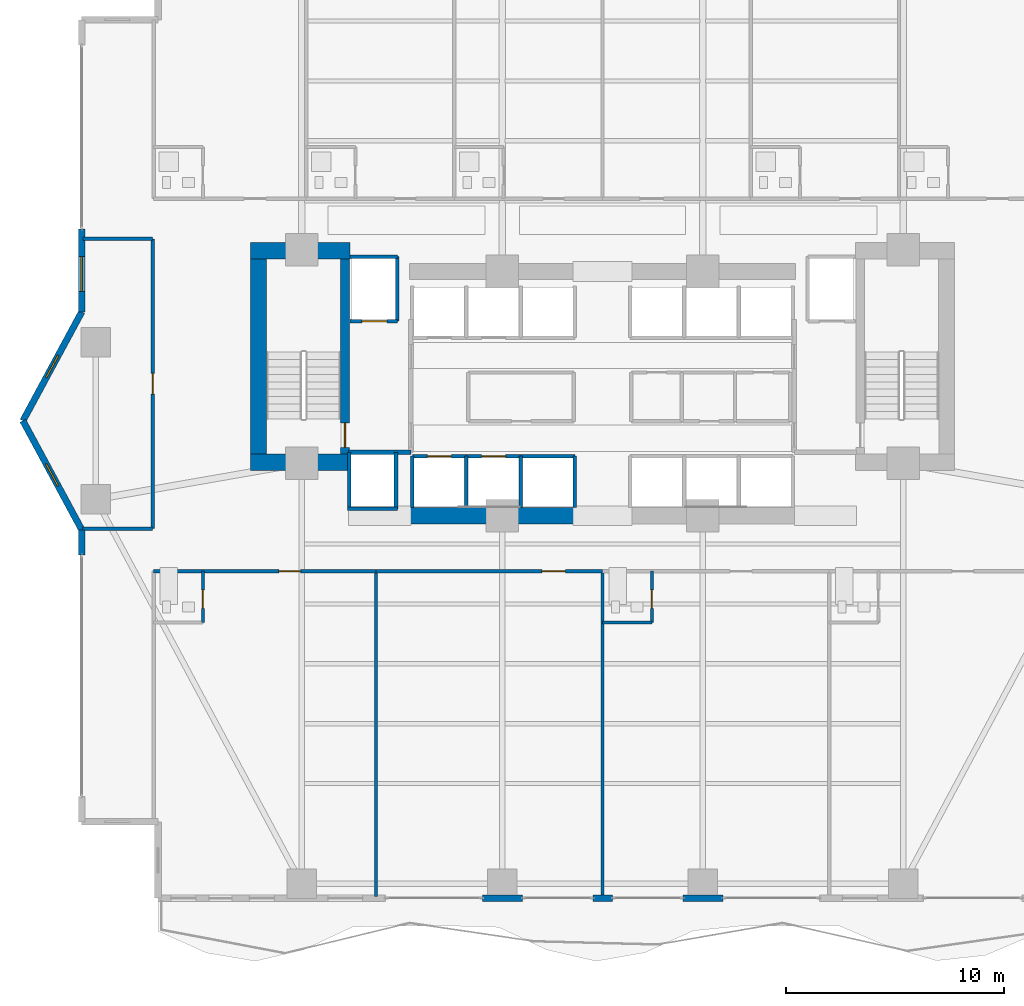
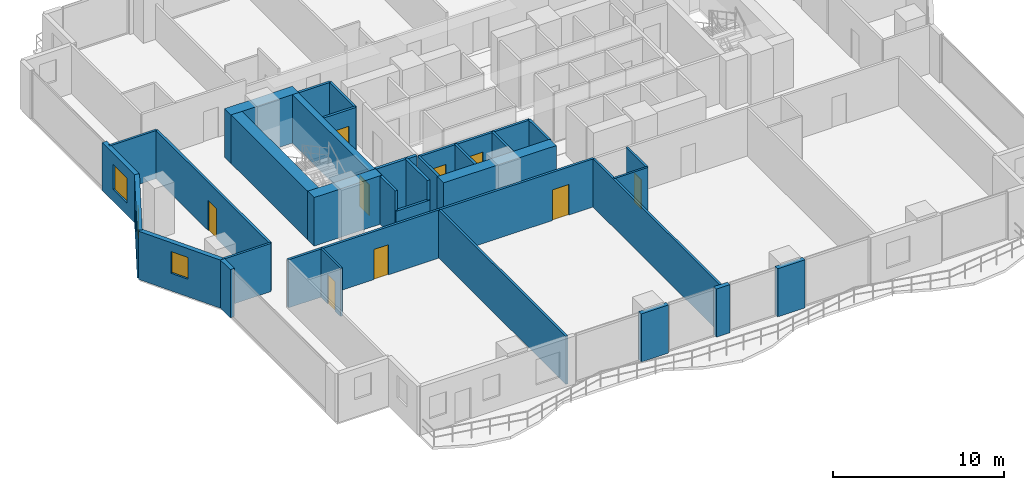
# One storey, part 21 of 30: 36 walls, 9 doors, 3 windows, 12 openings.
"""IFC4 building model written with IfcOpenShell, lengths in metres."""

from ifc_helpers import new_model, si_unit, direction, frame, frame_2d, origin, place, context, subcontext, project, spatial, rectangle, extrude, material, layer, layer_set, type_object, element, fill, save


model = new_model("IFC4")

# Units and contexts
model_context = context("Model", 3, precision=1e-05, world=origin(), true_north=direction((0.0, 1.0)))
body_context = subcontext(model_context, "Body", "Model", "MODEL_VIEW")
ifc_project = project(units=[si_unit("LENGTHUNIT", "METRE"), si_unit("AREAUNIT", "SQUARE_METRE"), si_unit("VOLUMEUNIT", "CUBIC_METRE"), si_unit("PLANEANGLEUNIT", "RADIAN"), si_unit("MASSUNIT", "GRAM", prefix="KILO")], contexts=[model_context])

# Site, building, storey
site_placement = place(None, origin())
site = spatial("IfcSite", under=ifc_project, at=site_placement, CompositionType="ELEMENT")
building_placement = place(site_placement, origin())
building = spatial("IfcBuilding", under=site, at=building_placement, Name="Zuhayl Quay Hotel", CompositionType="ELEMENT")
storey_placement = place(building_placement, frame((0.0, 0.0, 128.5)))
storey = spatial("IfcBuildingStorey", under=building, at=storey_placement, Name="L32", CompositionType="ELEMENT", Elevation=128.5)

# Walls
ifc_material_1 = material(Name="Concrete C60/75", Category="concrete")
ifc_layer_1 = layer(ifc_material_1, 0.75, Name="Concrete C60/75", Category="concrete")
ifc_layer_set_1 = layer_set([ifc_layer_1], Name="Concrete C60/75")
wall_type_1 = type_object("IfcWallType", Name="WL_CORE_750", PredefinedType="SHEAR", material=ifc_layer_set_1)
wall_1_placement = place(storey_placement, frame((-16.159912109375, 14.304931640625, 0.0), z_axis=(0.0, 0.0, 1.0), x_axis=(1.0, 0.0, 0.0)))
element("IfcWall", 1, at=wall_1_placement, inside=storey, type_object=wall_type_1, Name="L32 Core Shear Wall CW_NW", PredefinedType="SHEAR", context=body_context, shape_type="SweptSolid", body=[
    extrude(rectangle(XDim=4.559814453125, YDim=0.75, at=frame_2d((2.27978515625, 0.0))), origin(), (0.0, 0.0, 1.0), 3.4599609375),
])
wall_2_placement = place(storey_placement, frame((-15.784912109375, 4.969970703125, 0.0), z_axis=(0.0, 0.0, 1.0), x_axis=(0.0, 1.0, 0.0)))
element("IfcWall", 2, at=wall_2_placement, inside=storey, type_object=wall_type_1, Name="L32 Core Shear Wall CW_W", PredefinedType="SHEAR", context=body_context, shape_type="SweptSolid", body=[
    extrude(rectangle(XDim=8.9599609375, YDim=0.75, at=frame_2d((4.47998046875, 0.0))), origin(), (0.0, 0.0, 1.0), 3.4599609375),
])
wall_3_placement = place(storey_placement, frame((-16.159912109375, 4.594970703125, 0.0), z_axis=(0.0, 0.0, 1.0), x_axis=(1.0, 0.0, 0.0)))
element("IfcWall", 3, at=wall_3_placement, inside=storey, type_object=wall_type_1, Name="L32 Core Shear Wall CW_SW", PredefinedType="SHEAR", context=body_context, shape_type="SweptSolid", body=[
    extrude(rectangle(XDim=4.559814453125, YDim=0.75, at=frame_2d((2.27978515625, 0.0))), origin(), (0.0, 0.0, 1.0), 3.4599609375),
])
wall_4_placement = place(storey_placement, frame((-8.85009765625, 2.14990234375, 0.0), z_axis=(0.0, 0.0, 1.0), x_axis=(1.0, 0.0, 0.0)))
element("IfcWall", 4, at=wall_4_placement, inside=storey, type_object=wall_type_1, Name="L32 Core Shear Wall CW_SC_W", PredefinedType="SHEAR", context=body_context, shape_type="SweptSolid", body=[
    extrude(rectangle(XDim=7.60009765625, YDim=0.75, at=frame_2d((3.800048828125, 0.0))), origin(), (0.0, 0.0, 1.0), 3.429931640625),
])
ifc_material_2 = material(Name="Precast concrete C45/55", Category="concrete")
ifc_layer_2 = layer(ifc_material_2, 0.300048828125, Name="Precast concrete C45/55", Category="concrete")
ifc_layer_set_2 = layer_set([ifc_layer_2], Name="Precast concrete C45/55")
wall_type_2 = type_object("IfcWallType", Name="WL_EXT_300", PredefinedType="STANDARD", material=ifc_layer_set_2)
wall_5_placement = place(storey_placement, frame((-23.89990234375, 0.35009765625, 0.0), z_axis=(0.0, 0.0, 1.0), x_axis=(0.0, 1.0, 0.0)))
element("IfcWall", 5, at=wall_5_placement, inside=storey, type_object=wall_type_2, Name="L32 Exterior Precast Wall ENV_L32_E02_EW2", PredefinedType="STANDARD", context=body_context, shape_type="SweptSolid", body=[
    extrude(rectangle(XDim=1.14990234375, YDim=0.300048828125, at=frame_2d((0.574951171875, 0.0))), origin(), (0.0, 0.0, 1.0), 3.429931640625),
])

# Wall, opening, window
wall_6_placement = place(storey_placement, frame((-23.89990234375, 1.5, 0.0), z_axis=(0.0, 0.0, 1.0), x_axis=(-0.475175525499, 0.879891027325, 0.0)))
wall_6 = element("IfcWall", 6, at=wall_6_placement, inside=storey, type_object=wall_type_2, Name="L32 Exterior Precast Wall ENV_L32_EW03", PredefinedType="STANDARD", context=body_context, shape_type="SweptSolid", body=[
    extrude(rectangle(XDim=5.6826171875, YDim=0.300048828125, at=frame_2d((2.84130859375, 0.0))), origin(), (0.0, 0.0, 1.0), 3.429931640625),
])
opening_1_placement = place(wall_6_placement, frame((2.290283203125, 0.0, 1.25)))
opening_1 = element("IfcOpeningElement", 7, at=opening_1_placement, cuts=wall_6, Name="Opening W01N", PredefinedType="OPENING", context=body_context, shape_type="SweptSolid", body=[
    extrude(rectangle(XDim=1.14990234375, YDim=1.550048828125, at=frame_2d((0.574951171875, 0.77490234375))), frame((0.0, 0.159912109375, 0.0), z_axis=(0.0, -1.0, 0.0), x_axis=(1.0, 0.0, 0.0)), (0.0, 0.0, 1.0), 0.320068359375),
])
ifc_material_3 = material(Name="Dark Ceramic-Fritted Solar Glass", Category="glass")
window_type_1 = type_object("IfcWindowType", Name="WN_NOTCH_1350", PartitioningType="SINGLE_PANEL", PredefinedType="WINDOW", material=ifc_material_3)
window_1_placement = place(opening_1_placement, origin())
window_1 = element("IfcWindow", 8, at=window_1_placement, inside=storey, type_object=window_type_1, Name="L32 Corner Notch Window 3", OverallHeight=1.550048828125, OverallWidth=1.14990234375, PartitioningType="SINGLE_PANEL", PredefinedType="WINDOW", context=body_context, shape_type="SweptSolid", body=[
    extrude(rectangle(XDim=1.14990234375, YDim=1.550048828125, at=frame_2d((0.574951171875, 0.77490234375))), frame((0.0, 0.030029296875, 0.0), z_axis=(0.0, -1.0, 0.0), x_axis=(1.0, 0.0, 0.0)), (0.0, 0.0, 1.0), 0.06005859375),
])
fill(opening_1, window_1)

wall_7_placement = place(storey_placement, frame((-26.60009765625, 6.5, 0.0), z_axis=(0.0, 0.0, 1.0), x_axis=(0.475175525499, 0.879891027325, 0.0)))
wall_7 = element("IfcWall", 9, at=wall_7_placement, inside=storey, type_object=wall_type_2, Name="L32 Exterior Precast Wall ENV_L32_EW04", PredefinedType="STANDARD", context=body_context, shape_type="SweptSolid", body=[
    extrude(rectangle(XDim=5.6826171875, YDim=0.300048828125, at=frame_2d((2.84130859375, 0.0))), origin(), (0.0, 0.0, 1.0), 3.429931640625),
])
opening_2_placement = place(wall_7_placement, frame((2.26611328125, 0.0, 1.25)))
opening_2 = element("IfcOpeningElement", 10, at=opening_2_placement, cuts=wall_7, Name="Opening W01N", PredefinedType="OPENING", context=body_context, shape_type="SweptSolid", body=[
    extrude(rectangle(XDim=1.14990234375, YDim=1.550048828125, at=frame_2d((0.574951171875, 0.77490234375))), frame((0.0, 0.159912109375, 0.0), z_axis=(0.0, -1.0, 0.0), x_axis=(1.0, 0.0, 0.0)), (0.0, 0.0, 1.0), 0.320068359375),
])
window_2_placement = place(opening_2_placement, origin())
window_2 = element("IfcWindow", 11, at=window_2_placement, inside=storey, type_object=window_type_1, Name="L32 Corner Notch Window 4", OverallHeight=1.550048828125, OverallWidth=1.14990234375, PartitioningType="SINGLE_PANEL", PredefinedType="WINDOW", context=body_context, shape_type="SweptSolid", body=[
    extrude(rectangle(XDim=1.14990234375, YDim=1.550048828125, at=frame_2d((0.574951171875, 0.77490234375))), frame((0.0, 0.030029296875, 0.0), z_axis=(0.0, -1.0, 0.0), x_axis=(1.0, 0.0, 0.0)), (0.0, 0.0, 1.0), 0.06005859375),
])
fill(opening_2, window_2)

wall_8_placement = place(storey_placement, frame((-23.89990234375, 11.5, 0.0), z_axis=(0.0, 0.0, 1.0), x_axis=(0.0, 1.0, 0.0)))
wall_8 = element("IfcWall", 12, at=wall_8_placement, inside=storey, type_object=wall_type_2, Name="L32 Exterior Precast Wall ENV_L32_E05_EW1", PredefinedType="STANDARD", context=body_context, shape_type="SweptSolid", body=[
    extrude(rectangle(XDim=3.800048828125, YDim=0.300048828125, at=frame_2d((1.89990234375, 0.0))), origin(), (0.0, 0.0, 1.0), 3.429931640625),
])
opening_3_placement = place(wall_8_placement, frame((0.93505859375, 0.0, 0.85009765625)))
opening_3 = element("IfcOpeningElement", 13, at=opening_3_placement, cuts=wall_8, Name="Opening W01", PredefinedType="OPENING", context=body_context, shape_type="SweptSolid", body=[
    extrude(rectangle(XDim=1.60009765625, YDim=1.800048828125, at=frame_2d((0.800048828125, 0.89990234375))), frame((0.0, 0.159912109375, 0.0), z_axis=(0.0, -1.0, 0.0), x_axis=(1.0, 0.0, 0.0)), (0.0, 0.0, 1.0), 0.320068359375),
])
window_type_2 = type_object("IfcWindowType", Name="WN_OPERABLE_1600", PartitioningType="DOUBLE_PANEL_VERTICAL", PredefinedType="WINDOW", material=ifc_material_3)
window_3_placement = place(opening_3_placement, origin())
window_3 = element("IfcWindow", 14, at=window_3_placement, inside=storey, type_object=window_type_2, Name="L32 Operable Facade Window 1-1", OverallHeight=1.800048828125, OverallWidth=1.60009765625, PartitioningType="SINGLE_PANEL", PredefinedType="WINDOW", context=body_context, shape_type="SweptSolid", body=[
    extrude(rectangle(XDim=1.60009765625, YDim=1.800048828125, at=frame_2d((0.800048828125, 0.89990234375))), frame((0.0, 0.030029296875, 0.0), z_axis=(0.0, -1.0, 0.0), x_axis=(1.0, 0.0, 0.0)), (0.0, 0.0, 1.0), 0.06005859375),
])
fill(opening_3, window_3)

# Walls
wall_9_placement = place(storey_placement, frame((5.52001953125, -15.39990234375, 0.0), z_axis=(0.0, 0.0, 1.0), x_axis=(-1.0, 0.0, 0.0)))
element("IfcWall", 15, at=wall_9_placement, inside=storey, type_object=wall_type_2, Name="L32 Exterior Precast Wall ENV_L32_S_EW3", PredefinedType="STANDARD", context=body_context, shape_type="SweptSolid", body=[
    extrude(rectangle(XDim=1.840087890625, YDim=0.300048828125, at=frame_2d((0.919921875, 0.0))), origin(), (0.0, 0.0, 1.0), 3.429931640625),
])
wall_10_placement = place(storey_placement, frame((0.449951171875, -15.39990234375, 0.0), z_axis=(0.0, 0.0, 1.0), x_axis=(-1.0, 0.0, 0.0)))
element("IfcWall", 16, at=wall_10_placement, inside=storey, type_object=wall_type_2, Name="L32 Exterior Precast Wall ENV_L32_S_EW4", PredefinedType="STANDARD", context=body_context, shape_type="SweptSolid", body=[
    extrude(rectangle(XDim=0.89990234375, YDim=0.300048828125, at=frame_2d((0.449951171875, 0.0))), origin(), (0.0, 0.0, 1.0), 3.429931640625),
])
wall_11_placement = place(storey_placement, frame((-3.679931640625, -15.39990234375, 0.0), z_axis=(0.0, 0.0, 1.0), x_axis=(-1.0, 0.0, 0.0)))
element("IfcWall", 17, at=wall_11_placement, inside=storey, type_object=wall_type_2, Name="L32 Exterior Precast Wall ENV_L32_S_EW5", PredefinedType="STANDARD", context=body_context, shape_type="SweptSolid", body=[
    extrude(rectangle(XDim=1.840087890625, YDim=0.300048828125, at=frame_2d((0.919921875, 0.0))), origin(), (0.0, 0.0, 1.0), 3.429931640625),
])
ifc_material_4 = material(Name="Acoustic Gypsum Partition STC-58")
ifc_layer_3 = layer(ifc_material_4, 0.14990234375, Name="Acoustic Gypsum Partition STC-58")
ifc_layer_set_3 = layer_set([ifc_layer_3], Name="Acoustic Gypsum Partition STC-58")
wall_type_3 = type_object("IfcWallType", Name="WL_PART_150", PredefinedType="PARTITIONING", material=ifc_layer_set_3)
wall_12_placement = place(storey_placement, frame((-10.39990234375, -15.320068359375, 0.0), z_axis=(0.0, 0.0, 1.0), x_axis=(0.0, 1.0, 0.0)))
element("IfcWall", 18, at=wall_12_placement, inside=storey, type_object=wall_type_3, Name="L32 Partition IW_L32_SU01_E", PredefinedType="PARTITIONING", context=body_context, shape_type="SweptSolid", body=[
    extrude(rectangle(XDim=14.920166015625, YDim=0.14990234375, at=frame_2d((7.4599609375, 0.0))), origin(), (0.0, 0.0, 1.0), 3.429931640625),
])
wall_13_placement = place(storey_placement, frame((0.0, -15.340087890625, 0.0), z_axis=(0.0, 0.0, 1.0), x_axis=(0.0, 1.0, 0.0)))
element("IfcWall", 19, at=wall_13_placement, inside=storey, type_object=wall_type_3, Name="L32 Partition IW_L32_SSAL_1_E", PredefinedType="PARTITIONING", context=body_context, shape_type="SweptSolid", body=[
    extrude(rectangle(XDim=14.940185546875, YDim=0.14990234375, at=frame_2d((7.47021484375, 0.0))), origin(), (0.0, 0.0, 1.0), 3.429931640625),
])
wall_14_placement = place(storey_placement, frame((-23.866943359375, 1.550048828125, 0.0), z_axis=(0.0, 0.0, 1.0), x_axis=(1.0, 0.0, 0.0)))
element("IfcWall", 20, at=wall_14_placement, inside=storey, type_object=wall_type_3, Name="L32 Partition IW_L32_WPROW_1_S", PredefinedType="PARTITIONING", context=body_context, shape_type="SweptSolid", body=[
    extrude(rectangle(XDim=3.217041015625, YDim=0.14990234375, at=frame_2d((1.6083984375, 0.0))), origin(), (0.0, 0.0, 1.0), 3.429931640625),
])
wall_15_placement = place(storey_placement, frame((-23.840087890625, 14.85009765625, 0.0), z_axis=(0.0, 0.0, 1.0), x_axis=(1.0, 0.0, 0.0)))
element("IfcWall", 21, at=wall_15_placement, inside=storey, type_object=wall_type_3, Name="L32 Partition IW_L32_WPROW_1_N", PredefinedType="PARTITIONING", context=body_context, shape_type="SweptSolid", body=[
    extrude(rectangle(XDim=3.190185546875, YDim=0.14990234375, at=frame_2d((1.59521484375, 0.0))), origin(), (0.0, 0.0, 1.0), 3.429931640625),
])

# Wall, opening, door
ifc_layer_4 = layer(ifc_material_4, 0.159912109375, Name="Acoustic Gypsum Partition STC-58")
ifc_layer_set_4 = layer_set([ifc_layer_4], Name="Acoustic Gypsum Partition STC-58")
wall_type_4 = type_object("IfcWallType", Name="WL_PART_CORR_160", PredefinedType="PARTITIONING", material=ifc_layer_set_4)
wall_16_placement = place(storey_placement, frame((-20.60009765625, -0.39990234375, 0.0), z_axis=(0.0, 0.0, 1.0), x_axis=(1.0, 0.0, 0.0)))
wall_16 = element("IfcWall", 22, at=wall_16_placement, inside=storey, type_object=wall_type_4, Name="L32 Partition IW_L32_SU01_COR", PredefinedType="PARTITIONING", context=body_context, shape_type="SweptSolid", body=[
    extrude(rectangle(XDim=10.2001953125, YDim=0.159912109375, at=frame_2d((5.10009765625, 0.0))), origin(), (0.0, 0.0, 1.0), 3.429931640625),
])
opening_4_placement = place(wall_16_placement, frame((5.75, 0.0, 0.0)))
opening_4 = element("IfcOpeningElement", 23, at=opening_4_placement, cuts=wall_16, Name="Opening D03L", PredefinedType="OPENING", context=body_context, shape_type="SweptSolid", body=[
    extrude(rectangle(XDim=1.0, YDim=2.14990234375, at=frame_2d((0.5, 1.074951171875))), frame((0.0, 0.08984375, 0.0), z_axis=(0.0, -1.0, 0.0), x_axis=(1.0, 0.0, 0.0)), (0.0, 0.0, 1.0), 0.179931640625),
])
ifc_material_5 = material(Name="Solid Walnut Acoustic Fire Door")
door_type_1 = type_object("IfcDoorType", Name="DR_SUITE_1000", OperationType="NOTDEFINED", PredefinedType="DOOR", material=ifc_material_5)
door_1_placement = place(opening_4_placement, origin())
door_1 = element("IfcDoor", 24, at=door_1_placement, inside=storey, type_object=door_type_1, Name="L32 City-View Junior Suite L32-01 Entrance Door", OperationType="SINGLE_SWING_LEFT", OverallHeight=2.14990234375, OverallWidth=1.0, PredefinedType="DOOR", context=body_context, shape_type="SweptSolid", body=[
    extrude(rectangle(XDim=1.0, YDim=2.14990234375, at=frame_2d((0.5, 1.074951171875))), frame((0.0, 0.02490234375, 0.0), z_axis=(0.0, -1.0, 0.0), x_axis=(1.0, 0.0, 0.0)), (0.0, 0.0, 1.0), 0.050048828125),
])
fill(opening_4, door_1)

wall_17_placement = place(storey_placement, frame((-10.39990234375, -0.39990234375, 0.0), z_axis=(0.0, 0.0, 1.0), x_axis=(1.0, 0.0, 0.0)))
wall_17 = element("IfcWall", 25, at=wall_17_placement, inside=storey, type_object=wall_type_4, Name="L32 Partition IW_L32_SSAL_1_N", PredefinedType="PARTITIONING", context=body_context, shape_type="SweptSolid", body=[
    extrude(rectangle(XDim=10.39990234375, YDim=0.159912109375, at=frame_2d((5.199951171875, 0.0))), origin(), (0.0, 0.0, 1.0), 3.429931640625),
])
opening_5_placement = place(wall_17_placement, frame((7.610107421875, 0.0, 0.0)))
opening_5 = element("IfcOpeningElement", 26, at=opening_5_placement, cuts=wall_17, Name="Opening D05A", PredefinedType="OPENING", context=body_context, shape_type="SweptSolid", body=[
    extrude(rectangle(XDim=1.080078125, YDim=2.179931640625, at=frame_2d((0.5400390625, 1.08984375))), frame((0.0, 0.08984375, 0.0), z_axis=(0.0, -1.0, 0.0), x_axis=(1.0, 0.0, 0.0)), (0.0, 0.0, 1.0), 0.179931640625),
])
door_type_2 = type_object("IfcDoorType", Name="DR_INT_1100", OperationType="NOTDEFINED", PredefinedType="DOOR", material=ifc_material_5)
door_2_placement = place(opening_5_placement, origin())
door_2 = element("IfcDoor", 27, at=door_2_placement, inside=storey, type_object=door_type_2, Name="L32 South Sunset Salon L32 Door", OperationType="SINGLE_SWING_RIGHT", OverallHeight=2.179931640625, OverallWidth=1.080078125, PredefinedType="DOOR", context=body_context, shape_type="SweptSolid", body=[
    extrude(rectangle(XDim=1.080078125, YDim=2.179931640625, at=frame_2d((0.5400390625, 1.08984375))), frame((0.0, 0.02490234375, 0.0), z_axis=(0.0, -1.0, 0.0), x_axis=(1.0, 0.0, 0.0)), (0.0, 0.0, 1.0), 0.050048828125),
])
fill(opening_5, door_2)

wall_18_placement = place(storey_placement, frame((-20.64990234375, 1.550048828125, 0.0), z_axis=(0.0, 0.0, 1.0), x_axis=(0.0, 1.0, 0.0)))
wall_18 = element("IfcWall", 28, at=wall_18_placement, inside=storey, type_object=wall_type_4, Name="L32 Partition IW_L32_WPROW_1_E", PredefinedType="PARTITIONING", context=body_context, shape_type="SweptSolid", body=[
    extrude(rectangle(XDim=13.300048828125, YDim=0.159912109375, at=frame_2d((6.64990234375, 0.0))), origin(), (0.0, 0.0, 1.0), 3.429931640625),
])
opening_6_placement = place(wall_18_placement, frame((6.175048828125, 0.0, 0.0)))
opening_6 = element("IfcOpeningElement", 29, at=opening_6_placement, cuts=wall_18, Name="Opening D03", PredefinedType="OPENING", context=body_context, shape_type="SweptSolid", body=[
    extrude(rectangle(XDim=0.949951171875, YDim=2.14990234375, at=frame_2d((0.47509765625, 1.074951171875))), frame((0.0, 0.08984375, 0.0), z_axis=(0.0, -1.0, 0.0), x_axis=(1.0, 0.0, 0.0)), (0.0, 0.0, 1.0), 0.179931640625),
])
door_type_3 = type_object("IfcDoorType", Name="DR_SUITE_950", OperationType="NOTDEFINED", PredefinedType="DOOR", material=ifc_material_5)
door_3_placement = place(opening_6_placement, origin())
door_3 = element("IfcDoor", 30, at=door_3_placement, inside=storey, type_object=door_type_3, Name="L32 West Prow Panoramic Salon L32 Door", OperationType="SINGLE_SWING_LEFT", OverallHeight=2.14990234375, OverallWidth=0.949951171875, PredefinedType="DOOR", context=body_context, shape_type="SweptSolid", body=[
    extrude(rectangle(XDim=0.949951171875, YDim=2.14990234375, at=frame_2d((0.47509765625, 1.074951171875))), frame((0.0, 0.02490234375, 0.0), z_axis=(0.0, -1.0, 0.0), x_axis=(1.0, 0.0, 0.0)), (0.0, 0.0, 1.0), 0.050048828125),
])
fill(opening_6, door_3)

ifc_material_6 = material(Name="Moisture-Resistant Sanitarychase Gypsum")
ifc_layer_5 = layer(ifc_material_6, 0.135009765625, Name="Moisture-Resistant Sanitarychase Gypsum")
ifc_layer_set_5 = layer_set([ifc_layer_5], Name="Moisture-Resistant Sanitarychase Gypsum")
wall_type_5 = type_object("IfcWallType", Name="WL_PART_PLUMB_150", PredefinedType="PLUMBINGWALL", material=ifc_layer_set_5)
wall_19_placement = place(storey_placement, frame((-18.340087890625, -2.760009765625, 0.0), z_axis=(0.0, 0.0, 1.0), x_axis=(0.0, 1.0, 0.0)))
wall_19 = element("IfcWall", 31, at=wall_19_placement, inside=storey, type_object=wall_type_5, Name="L32 Partition IW_L32_SU01_BE", PredefinedType="PLUMBINGWALL", context=body_context, shape_type="SweptSolid", body=[
    extrude(rectangle(XDim=2.360107421875, YDim=0.135009765625, at=frame_2d((1.18017578125, 0.0))), origin(), (0.0, 0.0, 1.0), 3.429931640625),
])
opening_7_placement = place(wall_19_placement, frame((0.64990234375, 0.0, 0.0)))
opening_7 = element("IfcOpeningElement", 32, at=opening_7_placement, cuts=wall_19, Name="Opening D04", PredefinedType="OPENING", context=body_context, shape_type="SweptSolid", body=[
    extrude(rectangle(XDim=0.85009765625, YDim=2.10009765625, at=frame_2d((0.425048828125, 1.050048828125))), frame((0.0, 0.077392578125, 0.0), z_axis=(0.0, -1.0, 0.0), x_axis=(1.0, 0.0, 0.0)), (0.0, 0.0, 1.0), 0.155029296875),
])
ifc_material_7 = material(Name="Moisture-Resistant Walnut Veneer")
door_type_4 = type_object("IfcDoorType", Name="DR_BATH_850", OperationType="NOTDEFINED", PredefinedType="DOOR", material=ifc_material_7)
door_4_placement = place(opening_7_placement, origin())
door_4 = element("IfcDoor", 33, at=door_4_placement, inside=storey, type_object=door_type_4, Name="L32 City-View Junior Suite L32-01 En-Suite Door", OperationType="SINGLE_SWING_RIGHT", OverallHeight=2.10009765625, OverallWidth=0.85009765625, PredefinedType="DOOR", context=body_context, shape_type="SweptSolid", body=[
    extrude(rectangle(XDim=0.85009765625, YDim=2.10009765625, at=frame_2d((0.425048828125, 1.050048828125))), frame((0.0, 0.02490234375, 0.0), z_axis=(0.0, -1.0, 0.0), x_axis=(1.0, 0.0, 0.0)), (0.0, 0.0, 1.0), 0.050048828125),
])
fill(opening_7, door_4)

wall_20_placement = place(storey_placement, frame((2.260009765625, -2.760009765625, 0.0), z_axis=(0.0, 0.0, 1.0), x_axis=(0.0, 1.0, 0.0)))
wall_20 = element("IfcWall", 34, at=wall_20_placement, inside=storey, type_object=wall_type_5, Name="L32 Partition IW_L32_SU03_BE", PredefinedType="PLUMBINGWALL", context=body_context, shape_type="SweptSolid", body=[
    extrude(rectangle(XDim=2.360107421875, YDim=0.135009765625, at=frame_2d((1.18017578125, 0.0))), origin(), (0.0, 0.0, 1.0), 3.429931640625),
])
opening_8_placement = place(wall_20_placement, frame((0.64990234375, 0.0, 0.0)))
opening_8 = element("IfcOpeningElement", 35, at=opening_8_placement, cuts=wall_20, Name="Opening D04", PredefinedType="OPENING", context=body_context, shape_type="SweptSolid", body=[
    extrude(rectangle(XDim=0.85009765625, YDim=2.10009765625, at=frame_2d((0.425048828125, 1.050048828125))), frame((0.0, 0.077392578125, 0.0), z_axis=(0.0, -1.0, 0.0), x_axis=(1.0, 0.0, 0.0)), (0.0, 0.0, 1.0), 0.155029296875),
])
door_5_placement = place(opening_8_placement, origin())
door_5 = element("IfcDoor", 36, at=door_5_placement, inside=storey, type_object=door_type_4, Name="L32 City-View Junior Suite L32-03 En-Suite Door", OperationType="SINGLE_SWING_LEFT", OverallHeight=2.10009765625, OverallWidth=0.85009765625, PredefinedType="DOOR", context=body_context, shape_type="SweptSolid", body=[
    extrude(rectangle(XDim=0.85009765625, YDim=2.10009765625, at=frame_2d((0.425048828125, 1.050048828125))), frame((0.0, 0.02490234375, 0.0), z_axis=(0.0, -1.0, 0.0), x_axis=(1.0, 0.0, 0.0)), (0.0, 0.0, 1.0), 0.050048828125),
])
fill(opening_8, door_5)

# Wall
wall_21_placement = place(storey_placement, frame((0.0, -2.760009765625, 0.0), z_axis=(0.0, 0.0, 1.0), x_axis=(1.0, 0.0, 0.0)))
element("IfcWall", 37, at=wall_21_placement, inside=storey, type_object=wall_type_5, Name="L32 Partition IW_L32_SU03_BS", PredefinedType="PLUMBINGWALL", context=body_context, shape_type="SweptSolid", body=[
    extrude(rectangle(XDim=2.260009765625, YDim=0.135009765625, at=frame_2d((1.1298828125, 0.0))), origin(), (0.0, 0.0, 1.0), 3.429931640625),
])

# Wall, opening, door
ifc_material_8 = material(Name="Gypsum Fireboard Assembly EI-90")
ifc_layer_6 = layer(ifc_material_8, 0.1650390625, Name="Gypsum Fireboard Assembly EI-90")
ifc_layer_set_6 = layer_set([ifc_layer_6], Name="Gypsum Fireboard Assembly EI-90")
wall_type_6 = type_object("IfcWallType", Name="WL_PART_SHAFT_160", PredefinedType="PARTITIONING", material=ifc_layer_set_6)
wall_22_placement = place(storey_placement, frame((-11.580078125, 11.070068359375, 0.0), z_axis=(0.0, 0.0, 1.0), x_axis=(1.0, 0.0, 0.0)))
wall_22 = element("IfcWall", 38, at=wall_22_placement, inside=storey, type_object=wall_type_6, Name="L32 Partition IW_L32_SH_FL1_F", PredefinedType="PARTITIONING", context=body_context, shape_type="SweptSolid", body=[
    extrude(rectangle(XDim=2.16015625, YDim=0.1650390625, at=frame_2d((1.080078125, 0.0))), origin(), (0.0, 0.0, 1.0), 3.429931640625),
])
opening_9_placement = place(wall_22_placement, frame((0.530029296875, 0.0, 0.0)))
opening_9 = element("IfcOpeningElement", 39, at=opening_9_placement, cuts=wall_22, Name="Opening LD2", PredefinedType="OPENING", context=body_context, shape_type="SweptSolid", body=[
    extrude(rectangle(XDim=1.14990234375, YDim=2.25, at=frame_2d((0.574951171875, 1.125))), frame((0.0, 0.092529296875, 0.0), z_axis=(0.0, -1.0, 0.0), x_axis=(1.0, 0.0, 0.0)), (0.0, 0.0, 1.0), 0.18505859375),
])
ifc_material_9 = material(Name="Brushed Stainless Steel", Category="steel")
door_type_5 = type_object("IfcDoorType", Name="DR_LIFT_FF_1100", OperationType="SLIDING_TO_LEFT", PredefinedType="DOOR", material=ifc_material_9)
door_6_placement = place(opening_9_placement, origin())
door_6 = element("IfcDoor", 40, at=door_6_placement, inside=storey, type_object=door_type_5, Name="L32 Lift FL1 Sliding Landing Door", OperationType="SLIDING_TO_LEFT", OverallHeight=2.25, OverallWidth=1.14990234375, PredefinedType="DOOR", context=body_context, shape_type="SweptSolid", body=[
    extrude(rectangle(XDim=1.14990234375, YDim=2.25, at=frame_2d((0.574951171875, 1.125))), frame((0.0, 0.02490234375, 0.0), z_axis=(0.0, -1.0, 0.0), x_axis=(1.0, 0.0, 0.0)), (0.0, 0.0, 1.0), 0.050048828125),
])
fill(opening_9, door_6)

wall_23_placement = place(storey_placement, frame((-8.72998046875, 4.8798828125, 0.0), z_axis=(0.0, 0.0, 1.0), x_axis=(1.0, 0.0, 0.0)))
wall_23 = element("IfcWall", 41, at=wall_23_placement, inside=storey, type_object=wall_type_6, Name="L32 Partition IW_L32_SH_LP1_F", PredefinedType="PARTITIONING", context=body_context, shape_type="SweptSolid", body=[
    extrude(rectangle(XDim=2.47998046875, YDim=0.1650390625, at=frame_2d((1.239990234375, 0.0))), origin(), (0.0, 0.0, 1.0), 3.429931640625),
])
opening_10_placement = place(wall_23_placement, frame((0.68994140625, 0.0, 0.0)))
opening_10 = element("IfcOpeningElement", 42, at=opening_10_placement, cuts=wall_23, Name="Opening LD1", PredefinedType="OPENING", context=body_context, shape_type="SweptSolid", body=[
    extrude(rectangle(XDim=1.10009765625, YDim=2.25, at=frame_2d((0.550048828125, 1.125))), frame((0.0, 0.092529296875, 0.0), z_axis=(0.0, -1.0, 0.0), x_axis=(1.0, 0.0, 0.0)), (0.0, 0.0, 1.0), 0.18505859375),
])
door_type_6 = type_object("IfcDoorType", Name="DR_LIFT_PASS_1100", OperationType="SLIDING_TO_LEFT", PredefinedType="DOOR", material=ifc_material_9)
door_7_placement = place(opening_10_placement, origin())
door_7 = element("IfcDoor", 43, at=door_7_placement, inside=storey, type_object=door_type_6, Name="L32 Lift LP1 Sliding Landing Door", OperationType="SLIDING_TO_LEFT", OverallHeight=2.25, OverallWidth=1.10009765625, PredefinedType="DOOR", context=body_context, shape_type="SweptSolid", body=[
    extrude(rectangle(XDim=1.10009765625, YDim=2.25, at=frame_2d((0.550048828125, 1.125))), frame((0.0, 0.02490234375, 0.0), z_axis=(0.0, -1.0, 0.0), x_axis=(1.0, 0.0, 0.0)), (0.0, 0.0, 1.0), 0.050048828125),
])
fill(opening_10, door_7)

wall_24_placement = place(storey_placement, frame((-6.25, 4.8798828125, 0.0), z_axis=(0.0, 0.0, 1.0), x_axis=(1.0, 0.0, 0.0)))
wall_24 = element("IfcWall", 44, at=wall_24_placement, inside=storey, type_object=wall_type_6, Name="L32 Partition IW_L32_SH_LP2_F", PredefinedType="PARTITIONING", context=body_context, shape_type="SweptSolid", body=[
    extrude(rectangle(XDim=2.5, YDim=0.1650390625, at=frame_2d((1.25, 0.0))), origin(), (0.0, 0.0, 1.0), 3.429931640625),
])
opening_11_placement = place(wall_24_placement, frame((0.699951171875, 0.0, 0.0)))
opening_11 = element("IfcOpeningElement", 45, at=opening_11_placement, cuts=wall_24, Name="Opening LD1", PredefinedType="OPENING", context=body_context, shape_type="SweptSolid", body=[
    extrude(rectangle(XDim=1.10009765625, YDim=2.25, at=frame_2d((0.550048828125, 1.125))), frame((0.0, 0.092529296875, 0.0), z_axis=(0.0, -1.0, 0.0), x_axis=(1.0, 0.0, 0.0)), (0.0, 0.0, 1.0), 0.18505859375),
])
door_8_placement = place(opening_11_placement, origin())
door_8 = element("IfcDoor", 46, at=door_8_placement, inside=storey, type_object=door_type_6, Name="L32 Lift LP2 Sliding Landing Door", OperationType="SLIDING_TO_LEFT", OverallHeight=2.25, OverallWidth=1.10009765625, PredefinedType="DOOR", context=body_context, shape_type="SweptSolid", body=[
    extrude(rectangle(XDim=1.10009765625, YDim=2.25, at=frame_2d((0.550048828125, 1.125))), frame((0.0, 0.02490234375, 0.0), z_axis=(0.0, -1.0, 0.0), x_axis=(1.0, 0.0, 0.0)), (0.0, 0.0, 1.0), 0.050048828125),
])
fill(opening_11, door_8)

# Walls
wall_25_placement = place(storey_placement, frame((-9.419921875, 11.070068359375, 0.0), z_axis=(0.0, 0.0, 1.0), x_axis=(0.0, 1.0, 0.0)))
element("IfcWall", 47, at=wall_25_placement, inside=storey, type_object=wall_type_6, Name="L32 Partition IW_L32_SH_FL1_E", PredefinedType="PARTITIONING", context=body_context, shape_type="SweptSolid", body=[
    extrude(rectangle(XDim=2.9599609375, YDim=0.1650390625, at=frame_2d((1.47998046875, 0.0))), origin(), (0.0, 0.0, 1.0), 3.429931640625),
])
wall_26_placement = place(storey_placement, frame((-11.580078125, 14.030029296875, 0.0), z_axis=(0.0, 0.0, 1.0), x_axis=(1.0, 0.0, 0.0)))
element("IfcWall", 48, at=wall_26_placement, inside=storey, type_object=wall_type_6, Name="L32 Partition IW_L32_SH_FL1_B", PredefinedType="PARTITIONING", context=body_context, shape_type="SweptSolid", body=[
    extrude(rectangle(XDim=2.16015625, YDim=0.1650390625, at=frame_2d((1.080078125, 0.0))), origin(), (0.0, 0.0, 1.0), 3.429931640625),
])
for number, where, z_axis, x_axis, name in (
    (49, (-8.72998046875, 2.52001953125, 0.0), (0.0, 0.0, 1.0), (0.0, 1.0, 0.0), "L32 Partition IW_L32_SH_LP1_W"),
    (50, (-6.25, 2.52001953125, 0.0), (0.0, 0.0, 1.0), (0.0, 1.0, 0.0), "L32 Partition IW_L32_SH_LP1_E"),
    (51, (-3.75, 2.52001953125, 0.0), (0.0, 0.0, 1.0), (0.0, 1.0, 0.0), "L32 Partition IW_L32_SH_LP2_E"),
):
    element("IfcWall", number, at=place(storey_placement, frame(where, z_axis=z_axis, x_axis=x_axis)), inside=storey, type_object=wall_type_6, Name=name, PredefinedType="PARTITIONING", context=body_context, shape_type="SweptSolid", body=[
        extrude(rectangle(XDim=2.35986328125, YDim=0.1650390625, at=frame_2d((1.179931640625, 0.0))), origin(), (0.0, 0.0, 1.0), 3.429931640625),
    ])
wall_27_placement = place(storey_placement, frame((-3.75, 4.8798828125, 0.0), z_axis=(0.0, 0.0, 1.0), x_axis=(1.0, 0.0, 0.0)))
element("IfcWall", 52, at=wall_27_placement, inside=storey, type_object=wall_type_6, Name="L32 Partition IW_L32_SH_MP1_F", PredefinedType="PARTITIONING", context=body_context, shape_type="SweptSolid", body=[
    extrude(rectangle(XDim=2.47998046875, YDim=0.1650390625, at=frame_2d((1.239990234375, 0.0))), origin(), (0.0, 0.0, 1.0), 3.429931640625),
])
wall_28_placement = place(storey_placement, frame((-1.27001953125, 2.52001953125, 0.0), z_axis=(0.0, 0.0, 1.0), x_axis=(0.0, 1.0, 0.0)))
element("IfcWall", 53, at=wall_28_placement, inside=storey, type_object=wall_type_6, Name="L32 Partition IW_L32_SH_MP1_E", PredefinedType="PARTITIONING", context=body_context, shape_type="SweptSolid", body=[
    extrude(rectangle(XDim=2.35986328125, YDim=0.1650390625, at=frame_2d((1.179931640625, 0.0))), origin(), (0.0, 0.0, 1.0), 3.429931640625),
])
wall_29_placement = place(storey_placement, frame((-11.6298828125, 2.469970703125, 0.0), z_axis=(0.0, 0.0, 1.0), x_axis=(0.0, 1.0, 0.0)))
element("IfcWall", 54, at=wall_29_placement, inside=storey, type_object=wall_type_6, Name="L32 Partition IW_L32_RISER_W", PredefinedType="PARTITIONING", context=body_context, shape_type="SweptSolid", body=[
    extrude(rectangle(XDim=2.580078125, YDim=0.1650390625, at=frame_2d((1.2900390625, 0.0))), origin(), (0.0, 0.0, 1.0), 3.429931640625),
])
wall_30_placement = place(storey_placement, frame((-11.7099609375, 2.469970703125, 0.0), z_axis=(0.0, 0.0, 1.0), x_axis=(1.0, 0.0, 0.0)))
element("IfcWall", 55, at=wall_30_placement, inside=storey, type_object=wall_type_6, Name="L32 Partition IW_L32_RISER_S", PredefinedType="PARTITIONING", context=body_context, shape_type="SweptSolid", body=[
    extrude(rectangle(XDim=2.31005859375, YDim=0.1650390625, at=frame_2d((1.155029296875, 0.0))), origin(), (0.0, 0.0, 1.0), 2.030029296875),
])
ifc_layer_7 = layer(ifc_material_8, 0.179931640625, Name="Gypsum Fireboard Assembly EI-90")
ifc_layer_set_7 = layer_set([ifc_layer_7], Name="Gypsum Fireboard Assembly EI-90")
wall_type_7 = type_object("IfcWallType", Name="WL_PART_SHAFT_180", PredefinedType="PARTITIONING", material=ifc_layer_set_7)
wall_31_placement = place(storey_placement, frame((-9.469970703125, 2.449951171875, 0.0), z_axis=(0.0, 0.0, 1.0), x_axis=(0.0, 1.0, 0.0)))
element("IfcWall", 56, at=wall_31_placement, inside=storey, type_object=wall_type_7, Name="L32 Partition IW_L32_RISER_E", PredefinedType="PARTITIONING", context=body_context, shape_type="SweptSolid", body=[
    extrude(rectangle(XDim=2.60009765625, YDim=0.179931640625, at=frame_2d((1.300048828125, 0.0))), origin(), (0.0, 0.0, 1.0), 3.429931640625),
])
ifc_material_10 = material(Name="Gypsum Fireboard Assembly EI-120")
ifc_layer_8 = layer(ifc_material_10, 0.199951171875, Name="Gypsum Fireboard Assembly EI-120")
ifc_layer_set_8 = layer_set([ifc_layer_8], Name="Gypsum Fireboard Assembly EI-120")
wall_type_8 = type_object("IfcWallType", Name="WL_PART_SHAFT_200", PredefinedType="PARTITIONING", material=ifc_layer_set_8)
wall_32_placement = place(storey_placement, frame((-11.64990234375, 5.050048828125, 0.0), z_axis=(0.0, 0.0, 1.0), x_axis=(1.0, 0.0, 0.0)))
element("IfcWall", 57, at=wall_32_placement, inside=storey, type_object=wall_type_8, Name="L32 Partition IW_L32_FSAE_W_S", PredefinedType="PARTITIONING", context=body_context, shape_type="SweptSolid", body=[
    extrude(rectangle(XDim=2.849853515625, YDim=0.199951171875, at=frame_2d((1.4248046875, 0.0))), origin(), (0.0, 0.0, 1.0), 3.429931640625),
])

# Wall, opening, door
ifc_layer_9 = layer(ifc_material_1, 0.39990234375, Name="Concrete C60/75", Category="concrete")
ifc_layer_set_9 = layer_set([ifc_layer_9], Name="Concrete C60/75")
wall_type_9 = type_object("IfcWallType", Name="WL_STAIR_400", PredefinedType="SHEAR", material=ifc_layer_set_9)
wall_33_placement = place(storey_placement, frame((-11.820068359375, 4.969970703125, 0.0), z_axis=(0.0, 0.0, 1.0), x_axis=(0.0, 1.0, 0.0)))
wall_33 = element("IfcWall", 58, at=wall_33_placement, inside=storey, type_object=wall_type_9, Name="L32 Core Shear Wall SW_ST1", PredefinedType="SHEAR", context=body_context, shape_type="SweptSolid", body=[
    extrude(rectangle(XDim=8.9599609375, YDim=0.39990234375, at=frame_2d((4.47998046875, 0.0))), origin(), (0.0, 0.0, 1.0), 3.4599609375),
])
opening_12_placement = place(wall_33_placement, frame((0.31005859375, 0.0, 0.0)))
opening_12 = element("IfcOpeningElement", 59, at=opening_12_placement, cuts=wall_33, Name="Opening D01", PredefinedType="OPENING", context=body_context, shape_type="SweptSolid", body=[
    extrude(rectangle(XDim=1.1201171875, YDim=2.219970703125, at=frame_2d((0.56005859375, 1.10986328125))), frame((0.0, 0.2099609375, 0.0), z_axis=(0.0, -1.0, 0.0), x_axis=(1.0, 0.0, 0.0)), (0.0, 0.0, 1.0), 0.419921875),
])
ifc_material_11 = material(Name="Steel ASTM A992 Grade 50", Category="steel")
door_type_7 = type_object("IfcDoorType", Name="DR_STAIR_90_1100", OperationType="NOTDEFINED", PredefinedType="DOOR", material=ifc_material_11)
door_9_placement = place(opening_12_placement, origin())
door_9 = element("IfcDoor", 60, at=door_9_placement, inside=storey, type_object=door_type_7, Name="L32 Smokeproof Exit Stair ST1 Door", OperationType="SINGLE_SWING_LEFT", OverallHeight=2.219970703125, OverallWidth=1.1201171875, PredefinedType="DOOR", context=body_context, shape_type="SweptSolid", body=[
    extrude(rectangle(XDim=1.1201171875, YDim=2.219970703125, at=frame_2d((0.56005859375, 1.10986328125))), frame((0.0, 0.02490234375, 0.0), z_axis=(0.0, -1.0, 0.0), x_axis=(1.0, 0.0, 0.0)), (0.0, 0.0, 1.0), 0.050048828125),
])
fill(opening_12, door_9)

save(model, "model.ifc")
